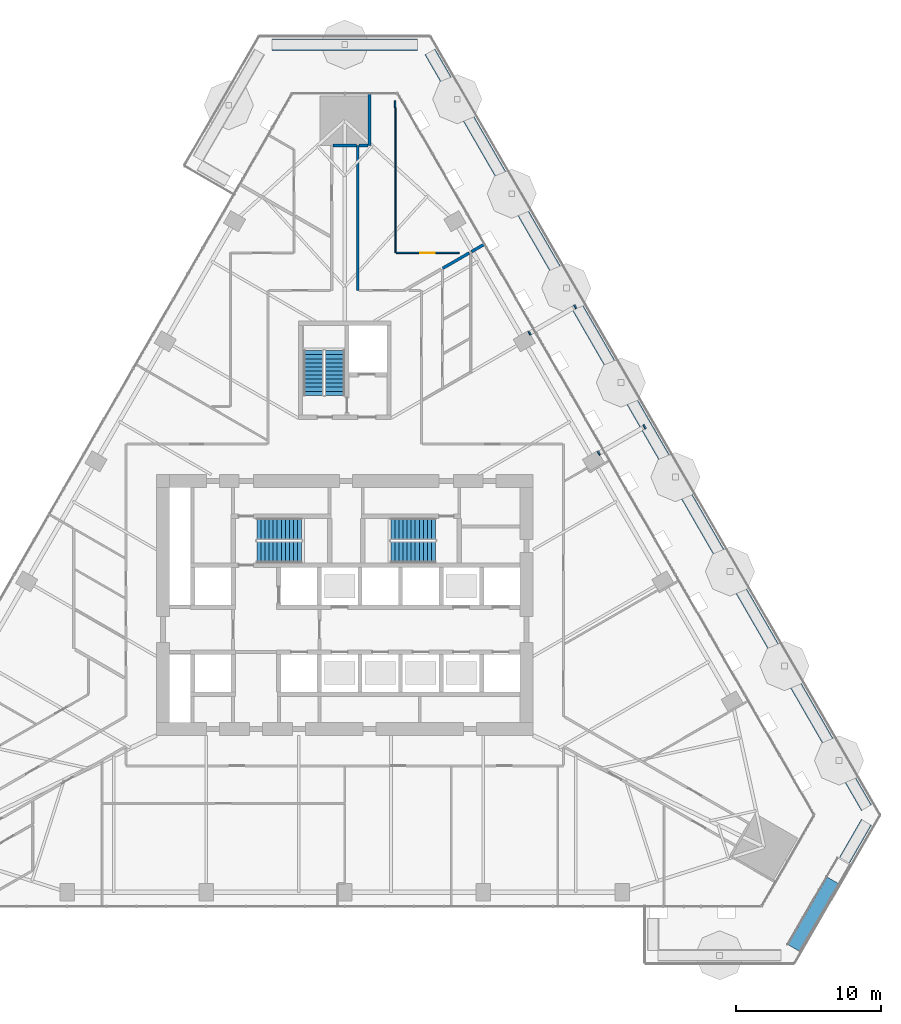
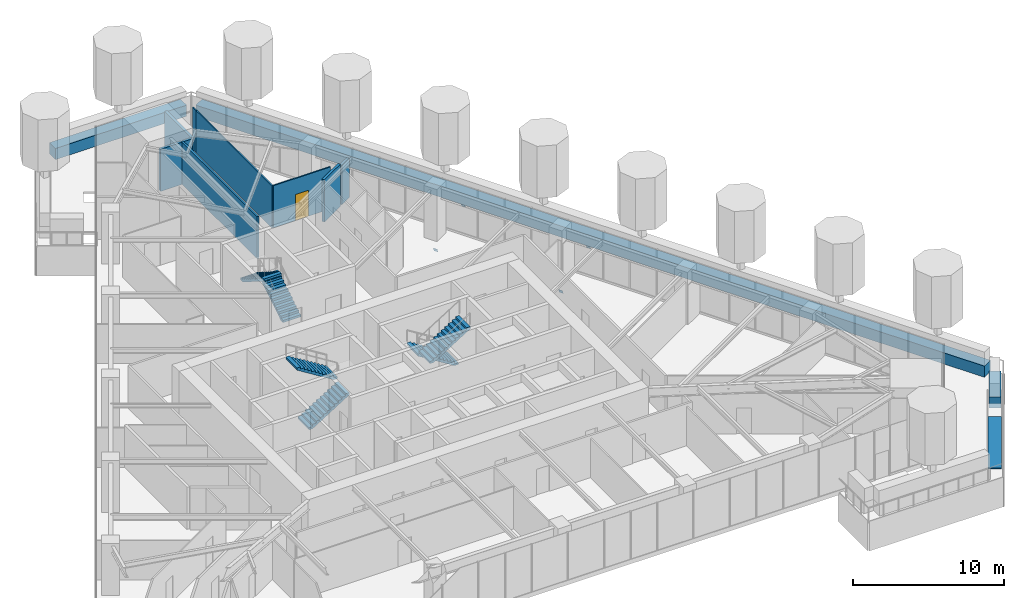
# One storey, part 22 of 26: 12 walls, 6 stair flights, 4 discrete accessories, 1 door, 1 ramp flight, 1 opening, 4 elements without a shape of their own.
"""IFC4 building model written with IfcOpenShell, lengths in metres."""

from ifc_helpers import new_model, si_unit, direction, frame, frame_2d, origin, place, context, subcontext, project, spatial, polyline, rectangle, outline, extrude, material, layer, layer_set, type_object, element, fill, aggregate, save


model = new_model("IFC4")

# Units and contexts
model_context = context("Model", 3, precision=1e-05, world=origin(), true_north=direction((0.0, 1.0)))
body_context = subcontext(model_context, "Body", "Model", "MODEL_VIEW")
ifc_project = project(units=[si_unit("LENGTHUNIT", "METRE"), si_unit("AREAUNIT", "SQUARE_METRE"), si_unit("VOLUMEUNIT", "CUBIC_METRE"), si_unit("PLANEANGLEUNIT", "RADIAN"), si_unit("MASSUNIT", "GRAM", prefix="KILO")], contexts=[model_context])

# Site, building, storey
site_placement = place(None, origin())
site = spatial("IfcSite", under=ifc_project, at=site_placement, CompositionType="ELEMENT")
building_placement = place(site_placement, origin())
building = spatial("IfcBuilding", under=site, at=building_placement, Name="Firuza Gate Tower and Library", CompositionType="ELEMENT")
storey_placement = place(building_placement, frame((0.0, 0.0, 52.60009765625)))
storey = spatial("IfcBuildingStorey", under=building, at=storey_placement, Name="L11", CompositionType="ELEMENT", Elevation=52.60009765625)

# Walls
ifc_material_1 = material(Name="Gypsum board partition")
ifc_layer_1 = layer(ifc_material_1, 0.14990234375)
ifc_layer_set_1 = layer_set([ifc_layer_1], Name="Corridor wall 150 double board on steel studs")
wall_type_1 = type_object("IfcWallType", Name="Corridor wall 150 double board on steel studs", PredefinedType="PARTITIONING", material=ifc_layer_set_1)
wall_1_placement = place(storey_placement, frame((75.89990234375, 96.699951171875, 0.0), z_axis=(0.0, 0.0, 1.0), x_axis=(0.0, 1.0, 0.0)))
element("IfcWall", 1, at=wall_1_placement, inside=storey, type_object=wall_type_1, Name="f:L11:w039", PredefinedType="PARTITIONING", context=body_context, shape_type="SweptSolid", body=[
    extrude(rectangle(XDim=10.020263671875, YDim=0.14990234375, at=frame_2d((5.01025390625, 0.0))), origin(), (0.0, 0.0, 1.0), 3.39990234375),
])
ifc_material_2 = material(Name="Gypsum board partition")
ifc_layer_2 = layer(ifc_material_2, 0.199951171875)
ifc_layer_set_2 = layer_set([ifc_layer_2], Name="Demising wall 200 acoustic double stud")
wall_type_2 = type_object("IfcWallType", Name="Demising wall 200 acoustic double stud", PredefinedType="PARTITIONING", material=ifc_layer_set_2)
wall_2_placement = place(storey_placement, frame((74.175537109375, 106.719970703125, 0.0), z_axis=(0.0, 0.0, 1.0), x_axis=(1.0, 0.0, 0.0)))
element("IfcWall", 2, at=wall_2_placement, inside=storey, type_object=wall_type_2, Name="f:L11:w010", PredefinedType="PARTITIONING", context=body_context, shape_type="SweptSolid", body=[
    extrude(rectangle(XDim=1.6494140625, YDim=0.199951171875, at=frame_2d((0.82470703125, 0.0))), origin(), (0.0, 0.0, 1.0), 3.39697265625),
])
wall_3_placement = place(storey_placement, frame((76.699951171875, 106.720703125, 0.0), z_axis=(0.0, 0.0, 1.0), x_axis=(0.0, 1.0, 0.0)))
element("IfcWall", 3, at=wall_3_placement, inside=storey, type_object=wall_type_2, Name="f:L11:w038", PredefinedType="PARTITIONING", context=body_context, shape_type="SweptSolid", body=[
    extrude(rectangle(XDim=3.5595703125, YDim=0.199951171875, at=frame_2d((1.77978515625, 0.0))), origin(), (0.0, 0.0, 1.0), 3.39990234375),
])
wall_4_placement = place(storey_placement, frame((75.97509765625, 106.719970703125, 0.0), z_axis=(0.0, 0.0, 1.0), x_axis=(1.0, 0.0, 0.0)))
element("IfcWall", 4, at=wall_4_placement, inside=storey, type_object=wall_type_2, Name="f:L11:w071", PredefinedType="PARTITIONING", context=body_context, shape_type="SweptSolid", body=[
    extrude(rectangle(XDim=0.62451171875, YDim=0.199951171875, at=frame_2d((0.312255859375, 0.0))), origin(), (0.0, 0.0, 1.0), 3.39990234375),
])
wall_5_placement = place(storey_placement, frame((83.744873046875, 99.382080078125, 0.0), z_axis=(0.0, 0.0, 1.0), x_axis=(0.866062461731, 0.499935808259, 0.0)))
element("IfcWall", 5, at=wall_5_placement, inside=storey, type_object=wall_type_2, Name="f:L11:w075", PredefinedType="PARTITIONING", context=body_context, shape_type="SweptSolid", body=[
    extrude(rectangle(XDim=1.023681640625, YDim=0.199951171875, at=frame_2d((0.51171875, 0.0))), origin(), (0.0, 0.0, 1.0), 3.164794921875),
])
wall_6_placement = place(storey_placement, frame((81.76025390625, 98.236328125, 0.0), z_axis=(0.0, 0.0, 1.0), x_axis=(0.866037425094, 0.499979177903, 0.0)))
element("IfcWall", 6, at=wall_6_placement, inside=storey, type_object=wall_type_2, Name="f:L11:w080", PredefinedType="PARTITIONING", context=body_context, shape_type="SweptSolid", body=[
    extrude(rectangle(XDim=2.11279296875, YDim=0.199951171875, at=frame_2d((1.056396484375, 0.0))), origin(), (0.0, 0.0, 1.0), 3.39990234375),
])

# Wall, opening, door
ifc_material_3 = material(Name="Gypsum board partition")
ifc_layer_3 = layer(ifc_material_3, 0.10009765625)
ifc_layer_set_3 = layer_set([ifc_layer_3], Name="Partition 100 gypsum board on steel studs")
wall_type_3 = type_object("IfcWallType", Name="Partition 100 gypsum board on steel studs", PredefinedType="PARTITIONING", material=ifc_layer_set_3)
wall_7_placement = place(storey_placement, frame((78.550537109375, 99.300048828125, 0.0), z_axis=(0.0, 0.0, 1.0), x_axis=(1.0, 0.0, 0.0)))
wall_7 = element("IfcWall", 7, at=wall_7_placement, inside=storey, type_object=wall_type_3, Name="f:L11:w009", PredefinedType="PARTITIONING", context=body_context, shape_type="SweptSolid", body=[
    extrude(rectangle(XDim=4.349365234375, YDim=0.10009765625, at=frame_2d((2.1748046875, 0.0))), origin(), (0.0, 0.0, 1.0), 3.39990234375),
])
opening_placement = place(wall_7_placement, frame((1.6748046875, 0.0, 0.0)))
opening = element("IfcOpeningElement", 8, at=opening_placement, cuts=wall_7, Name="Opening L11-10", PredefinedType="OPENING", context=body_context, shape_type="SweptSolid", body=[
    extrude(rectangle(XDim=1.0, YDim=2.10009765625, at=frame_2d((0.5, 1.050048828125))), frame((0.0, 0.06005859375, 0.0), z_axis=(0.0, -1.0, 0.0), x_axis=(1.0, 0.0, 0.0)), (0.0, 0.0, 1.0), 0.1201171875),
])
ifc_material_4 = material(Name="Timber door", Category="wood")
door_type = type_object("IfcDoorType", Name="Door 1000 x 2100 timber leaf", OperationType="NOTDEFINED", PredefinedType="DOOR", material=ifc_material_4)
door_placement = place(opening_placement, origin())
door = element("IfcDoor", 9, at=door_placement, inside=storey, type_object=door_type, Name="f:L11:d010", OperationType="SINGLE_SWING_RIGHT", OverallHeight=2.10009765625, OverallWidth=1.0, PredefinedType="DOOR", context=body_context, shape_type="SweptSolid", body=[
    extrude(rectangle(XDim=1.0, YDim=2.10009765625, at=frame_2d((0.5, 1.050048828125))), frame((0.0, 0.02490234375, 0.0), z_axis=(0.0, -1.0, 0.0), x_axis=(1.0, 0.0, 0.0)), (0.0, 0.0, 1.0), 0.050048828125),
])
fill(opening, door)

# Walls
wall_8_placement = place(storey_placement, frame((78.5, 99.300537109375, 0.0), z_axis=(0.0, 0.0, 1.0), x_axis=(0.0, 1.0, 0.0)))
element("IfcWall", 10, at=wall_8_placement, inside=storey, type_object=wall_type_3, Name="f:L11:w036", PredefinedType="PARTITIONING", context=body_context, shape_type="SweptSolid", body=[
    extrude(rectangle(XDim=10.019775390625, YDim=0.10009765625, at=frame_2d((5.009765625, 0.0))), origin(), (0.0, 0.0, 1.0), 3.39990234375),
])
wall_9_placement = place(storey_placement, frame((78.48095703125, 109.32080078125, 0.0), z_axis=(0.0, 0.0, 1.0), x_axis=(0.0, 1.0, 0.0)))
element("IfcWall", 11, at=wall_9_placement, inside=storey, type_object=wall_type_3, Name="f:L11:w037", PredefinedType="PARTITIONING", context=body_context, shape_type="SweptSolid", body=[
    extrude(rectangle(XDim=0.47265625, YDim=0.10009765625, at=frame_2d((0.236328125, 0.0))), origin(), (0.0, 0.0, 1.0), 3.39990234375),
])
ifc_material_5 = material(Name="Concrete C40/50", Category="concrete")
ifc_layer_4 = layer(ifc_material_5, 0.800048828125)
ifc_layer_set_4 = layer_set([ifc_layer_4], Name="Planter wall 800")
wall_type_4 = type_object("IfcWallType", Name="Planter wall 800", PredefinedType="SOLIDWALL", material=ifc_layer_set_4)
wall_10_placement = place(storey_placement, frame((109.48486328125, 57.388671875, 0.0), z_axis=(0.0, 0.0, 1.0), x_axis=(0.499948805358, 0.866054959007, 0.0)))
element("IfcWall", 12, at=wall_10_placement, inside=storey, type_object=wall_type_4, Name="PLANTER L11 3", PredefinedType="SOLIDWALL", context=body_context, shape_type="SweptSolid", body=[
    extrude(rectangle(XDim=3.018798828125, YDim=0.800048828125, at=frame_2d((1.50927734375, 0.0))), origin(), (0.0, 0.0, 1.0), 0.89990234375),
])
wall_11_placement = place(storey_placement, frame((110.994140625, 61.011962890625, 0.0), z_axis=(0.0, 0.0, 1.0), x_axis=(-0.500000853759, 0.866024910866, 0.0)))
element("IfcWall", 13, at=wall_11_placement, inside=storey, type_object=wall_type_4, Name="PLANTER L11 4", PredefinedType="SOLIDWALL", context=body_context, shape_type="SweptSolid", body=[
    extrude(rectangle(XDim=60.22216796875, YDim=0.800048828125, at=frame_2d((30.111083984375, 0.0))), origin(), (0.0, 0.0, 1.0), 0.89990234375),
])
wall_12_placement = place(storey_placement, frame((80.009521484375, 113.67041015625, 0.0), z_axis=(0.0, 0.0, 1.0), x_axis=(-1.0, 0.0, 0.0)))
element("IfcWall", 14, at=wall_12_placement, inside=storey, type_object=wall_type_4, Name="PLANTER L11 5", PredefinedType="SOLIDWALL", context=body_context, shape_type="SweptSolid", body=[
    extrude(rectangle(XDim=10.01904296875, YDim=0.800048828125, at=frame_2d((5.009521484375, 0.0))), origin(), (0.0, 0.0, 1.0), 0.89990234375),
])

# Stair, stair flights
ifc_material_6 = material(Name="Concrete C35/45", Category="concrete")
stair_type_1 = type_object("IfcStairType", Name="Exit stair ST14", PredefinedType="HALF_TURN_STAIR", material=ifc_material_6)
placement = place(storey_placement, origin())
stair_1 = element("IfcStair", 15, at=placement, inside=storey, type_object=stair_type_1, Name="L11 Stair ST3", PredefinedType="HALF_TURN_STAIR")
ifc_material_7 = material(Name="Concrete C35/45", Category="concrete")
stair_flight_type_1 = type_object("IfcStairFlightType", Name="Stair flight 12 risers 175 width 1370", PredefinedType="STRAIGHT", material=ifc_material_7)
stair_flight_1_placement = place(storey_placement, frame((74.31494140625, 89.469970703125, 0.0), z_axis=(0.0, 0.0, 1.0), x_axis=(0.0, 1.0, 0.0)))
stair_flight_1 = element("IfcStairFlight", 16, at=stair_flight_1_placement, type_object=stair_flight_type_1, Name="ST3 flight 1", NumberOfRisers=12, NumberOfTreads=11, PredefinedType="STRAIGHT", RiserHeight=0.175, TreadLength=0.28, context=body_context, shape_type="SweptSolid", body=[
    extrude(outline(polyline([(0.0, 0.0), (0.0, 0.175048828125), (0.280029296875, 0.175048828125), (0.280029296875, 0.35009765625), (0.56005859375, 0.35009765625), (0.56005859375, 0.52490234375), (0.840087890625, 0.52490234375), (0.840087890625, 0.699951171875), (1.1201171875, 0.699951171875), (1.1201171875, 0.875), (1.39990234375, 0.875), (1.39990234375, 1.050048828125), (1.679931640625, 1.050048828125), (1.679931640625, 1.22509765625), (1.9599609375, 1.22509765625), (1.9599609375, 1.39990234375), (2.239990234375, 1.39990234375), (2.239990234375, 1.574951171875), (2.52001953125, 1.574951171875), (2.52001953125, 1.75), (2.800048828125, 1.75), (2.800048828125, 1.925048828125), (3.080078125, 1.925048828125), (3.080078125, 2.10009765625), (3.080078125, 1.748291015625), (0.28271484375, 0.0), (0.0, 0.0)])), frame((0.0, 0.68505859375, 0.0), z_axis=(0.0, -1.0, 0.0), x_axis=(1.0, 0.0, 0.0)), (0.0, 0.0, 1.0), 1.3701171875),
])
stair_flight_2_placement = place(storey_placement, frame((72.844970703125, 92.550048828125, 2.099853515625), z_axis=(0.0, 0.0, 1.0), x_axis=(0.0, -1.0, 0.0)))
stair_flight_2 = element("IfcStairFlight", 17, at=stair_flight_2_placement, type_object=stair_flight_type_1, Name="ST3 flight 2", NumberOfRisers=12, NumberOfTreads=11, PredefinedType="STRAIGHT", RiserHeight=0.175, TreadLength=0.28, context=body_context, shape_type="SweptSolid", body=[
    extrude(outline(polyline([(0.0, 0.0), (0.0, 0.175048828125), (0.280029296875, 0.175048828125), (0.280029296875, 0.35009765625), (0.56005859375, 0.35009765625), (0.56005859375, 0.52490234375), (0.840087890625, 0.52490234375), (0.840087890625, 0.699951171875), (1.1201171875, 0.699951171875), (1.1201171875, 0.875), (1.39990234375, 0.875), (1.39990234375, 1.050048828125), (1.679931640625, 1.050048828125), (1.679931640625, 1.22509765625), (1.9599609375, 1.22509765625), (1.9599609375, 1.39990234375), (2.239990234375, 1.39990234375), (2.239990234375, 1.574951171875), (2.52001953125, 1.574951171875), (2.52001953125, 1.75), (2.800048828125, 1.75), (2.800048828125, 1.925048828125), (3.080078125, 1.925048828125), (3.080078125, 2.10009765625), (3.080078125, 1.748291015625), (0.28271484375, 0.0), (0.0, 0.0)])), frame((0.0, 0.68505859375, 0.0), z_axis=(0.0, -1.0, 0.0), x_axis=(1.0, 0.0, 0.0)), (0.0, 0.0, 1.0), 1.3701171875),
])
aggregate(stair_1, [stair_flight_1, stair_flight_2])

ifc_material_8 = material(Name="Concrete C35/45", Category="concrete")
stair_type_2 = type_object("IfcStairType", Name="Exit stair ST5", PredefinedType="HALF_TURN_STAIR", material=ifc_material_8)
stair_2 = element("IfcStair", 18, at=placement, inside=storey, type_object=stair_type_2, Name="L11 Stair ST1", PredefinedType="HALF_TURN_STAIR")
ifc_material_9 = material(Name="Concrete C35/45", Category="concrete")
stair_flight_type_2 = type_object("IfcStairFlightType", Name="Stair flight 12 risers 175 width 1490", PredefinedType="STRAIGHT", material=ifc_material_9)
stair_flight_3_placement = place(storey_placement, frame((68.93994140625, 78.64501953125, 0.0), z_axis=(0.0, 0.0, 1.0), x_axis=(1.0, 0.0, 0.0)))
stair_flight_3 = element("IfcStairFlight", 19, at=stair_flight_3_placement, type_object=stair_flight_type_2, Name="ST1 flight 1", NumberOfRisers=12, NumberOfTreads=11, PredefinedType="STRAIGHT", RiserHeight=0.175, TreadLength=0.28, context=body_context, shape_type="SweptSolid", body=[
    extrude(outline(polyline([(0.0, 0.0), (0.0, 0.175048828125), (0.280029296875, 0.175048828125), (0.280029296875, 0.35009765625), (0.56005859375, 0.35009765625), (0.56005859375, 0.52490234375), (0.840087890625, 0.52490234375), (0.840087890625, 0.699951171875), (1.1201171875, 0.699951171875), (1.1201171875, 0.875), (1.39990234375, 0.875), (1.39990234375, 1.050048828125), (1.679931640625, 1.050048828125), (1.679931640625, 1.22509765625), (1.9599609375, 1.22509765625), (1.9599609375, 1.39990234375), (2.239990234375, 1.39990234375), (2.239990234375, 1.574951171875), (2.52001953125, 1.574951171875), (2.52001953125, 1.75), (2.800048828125, 1.75), (2.800048828125, 1.925048828125), (3.080078125, 1.925048828125), (3.080078125, 2.10009765625), (3.080078125, 1.748291015625), (0.28271484375, 0.0), (0.0, 0.0)])), frame((0.0, 0.7451171875, 0.0), z_axis=(0.0, -1.0, 0.0), x_axis=(1.0, 0.0, 0.0)), (0.0, 0.0, 1.0), 1.489990234375),
])
stair_flight_4_placement = place(storey_placement, frame((72.02001953125, 80.235107421875, 2.099853515625), z_axis=(0.0, 0.0, 1.0), x_axis=(-1.0, 0.0, 0.0)))
stair_flight_4 = element("IfcStairFlight", 20, at=stair_flight_4_placement, type_object=stair_flight_type_2, Name="ST1 flight 2", NumberOfRisers=12, NumberOfTreads=11, PredefinedType="STRAIGHT", RiserHeight=0.175, TreadLength=0.28, context=body_context, shape_type="SweptSolid", body=[
    extrude(outline(polyline([(0.0, 0.0), (0.0, 0.175048828125), (0.280029296875, 0.175048828125), (0.280029296875, 0.35009765625), (0.56005859375, 0.35009765625), (0.56005859375, 0.52490234375), (0.840087890625, 0.52490234375), (0.840087890625, 0.699951171875), (1.1201171875, 0.699951171875), (1.1201171875, 0.875), (1.39990234375, 0.875), (1.39990234375, 1.050048828125), (1.679931640625, 1.050048828125), (1.679931640625, 1.22509765625), (1.9599609375, 1.22509765625), (1.9599609375, 1.39990234375), (2.239990234375, 1.39990234375), (2.239990234375, 1.574951171875), (2.52001953125, 1.574951171875), (2.52001953125, 1.75), (2.800048828125, 1.75), (2.800048828125, 1.925048828125), (3.080078125, 1.925048828125), (3.080078125, 2.10009765625), (3.080078125, 1.748291015625), (0.28271484375, 0.0), (0.0, 0.0)])), frame((0.0, 0.7451171875, 0.0), z_axis=(0.0, -1.0, 0.0), x_axis=(1.0, 0.0, 0.0)), (0.0, 0.0, 1.0), 1.489990234375),
])
aggregate(stair_2, [stair_flight_3, stair_flight_4])

stair_3 = element("IfcStair", 21, at=placement, inside=storey, type_object=stair_type_2, Name="L11 Stair ST2", PredefinedType="HALF_TURN_STAIR")
stair_flight_5_placement = place(storey_placement, frame((81.260009765625, 80.235107421875, 0.0), z_axis=(0.0, 0.0, 1.0), x_axis=(-1.0, 0.0, 0.0)))
stair_flight_5 = element("IfcStairFlight", 22, at=stair_flight_5_placement, type_object=stair_flight_type_2, Name="ST2 flight 1", NumberOfRisers=12, NumberOfTreads=11, PredefinedType="STRAIGHT", RiserHeight=0.175, TreadLength=0.28, context=body_context, shape_type="SweptSolid", body=[
    extrude(outline(polyline([(0.0, 0.0), (0.0, 0.175048828125), (0.280029296875, 0.175048828125), (0.280029296875, 0.35009765625), (0.56005859375, 0.35009765625), (0.56005859375, 0.52490234375), (0.840087890625, 0.52490234375), (0.840087890625, 0.699951171875), (1.1201171875, 0.699951171875), (1.1201171875, 0.875), (1.39990234375, 0.875), (1.39990234375, 1.050048828125), (1.679931640625, 1.050048828125), (1.679931640625, 1.22509765625), (1.9599609375, 1.22509765625), (1.9599609375, 1.39990234375), (2.239990234375, 1.39990234375), (2.239990234375, 1.574951171875), (2.52001953125, 1.574951171875), (2.52001953125, 1.75), (2.800048828125, 1.75), (2.800048828125, 1.925048828125), (3.080078125, 1.925048828125), (3.080078125, 2.10009765625), (3.080078125, 1.748291015625), (0.28271484375, 0.0), (0.0, 0.0)])), frame((0.0, 0.7451171875, 0.0), z_axis=(0.0, -1.0, 0.0), x_axis=(1.0, 0.0, 0.0)), (0.0, 0.0, 1.0), 1.489990234375),
])
stair_flight_6_placement = place(storey_placement, frame((78.179931640625, 78.64501953125, 2.099853515625), z_axis=(0.0, 0.0, 1.0), x_axis=(1.0, 0.0, 0.0)))
stair_flight_6 = element("IfcStairFlight", 23, at=stair_flight_6_placement, type_object=stair_flight_type_2, Name="ST2 flight 2", NumberOfRisers=12, NumberOfTreads=11, PredefinedType="STRAIGHT", RiserHeight=0.175, TreadLength=0.28, context=body_context, shape_type="SweptSolid", body=[
    extrude(outline(polyline([(0.0, 0.0), (0.0, 0.175048828125), (0.280029296875, 0.175048828125), (0.280029296875, 0.35009765625), (0.56005859375, 0.35009765625), (0.56005859375, 0.52490234375), (0.840087890625, 0.52490234375), (0.840087890625, 0.699951171875), (1.1201171875, 0.699951171875), (1.1201171875, 0.875), (1.39990234375, 0.875), (1.39990234375, 1.050048828125), (1.679931640625, 1.050048828125), (1.679931640625, 1.22509765625), (1.9599609375, 1.22509765625), (1.9599609375, 1.39990234375), (2.239990234375, 1.39990234375), (2.239990234375, 1.574951171875), (2.52001953125, 1.574951171875), (2.52001953125, 1.75), (2.800048828125, 1.75), (2.800048828125, 1.925048828125), (3.080078125, 1.925048828125), (3.080078125, 2.10009765625), (3.080078125, 1.748291015625), (0.28271484375, 0.0), (0.0, 0.0)])), frame((0.0, 0.7451171875, 0.0), z_axis=(0.0, -1.0, 0.0), x_axis=(1.0, 0.0, 0.0)), (0.0, 0.0, 1.0), 1.489990234375),
])
aggregate(stair_3, [stair_flight_5, stair_flight_6])

# Ramp, ramp flight
ifc_material_10 = material(Name="Concrete C40/50", Category="concrete")
ifc_layer_5 = layer(ifc_material_10, 0.050048828125)
ifc_layer_set_5 = layer_set([ifc_layer_5], Name="Garden ramp")
ramp_type = type_object("IfcRampType", Name="Garden ramp", PredefinedType="STRAIGHT_RUN_RAMP", material=ifc_layer_set_5)
ramp = element("IfcRamp", 24, at=placement, inside=storey, type_object=ramp_type, Name="Garden ramp 1", PredefinedType="STRAIGHT_RUN_RAMP")
ifc_material_11 = material(Name="Concrete C40/50", Category="concrete")
ifc_layer_6 = layer(ifc_material_11, 0.050048828125)
ifc_layer_set_6 = layer_set([ifc_layer_6], Name="Garden ramp flight")
ramp_flight_type = type_object("IfcRampFlightType", Name="Garden ramp flight", PredefinedType="STRAIGHT", material=ifc_layer_set_6)
ramp_flight_placement = place(storey_placement, frame((105.98486328125, 51.32666015625, -0.000244140625), z_axis=(0.0, 0.0, 1.0), x_axis=(0.499995103361, 0.866028230842, 0.0)))
ramp_flight = element("IfcRampFlight", 25, at=ramp_flight_placement, type_object=ramp_flight_type, Name="Garden ramp 1 flight", PredefinedType="STRAIGHT", context=body_context, shape_type="SweptSolid", body=[
    extrude(outline(polyline([(0.0, 0.050048828125), (5.39990234375, 0.4501953125), (5.39990234375, 0.400146484375), (0.0, 0.0), (0.0, 0.050048828125)])), frame((0.0, 0.449951171875, 0.0), z_axis=(0.0, -1.0, 0.0), x_axis=(1.0, 0.0, 0.0)), (0.0, 0.0, 1.0), 0.900146484375),
])
aggregate(ramp, [ramp_flight])

# Discrete accessories
ifc_material_12 = material(Name="Steel S355", Category="steel")
ifc_layer_7 = layer(ifc_material_12, 0.02001953125)
ifc_layer_set_7 = layer_set([ifc_layer_7], Name="Strut seat plate 304x304x20 Steel S355")
discrete_accessory_type = type_object("IfcDiscreteAccessoryType", Name="Strut seat plate 304x304x20 Steel S355", PredefinedType="BRACKET", material=ifc_layer_set_7)
discrete_accessory_1_placement = place(storey_placement, frame((92.431396484375, 85.5859375, -1.53564453125), z_axis=(0.806912615133, 0.466332615239, 0.36252713485), x_axis=(0.500371262739, -0.865810949009, 0.0)))
element("IfcDiscreteAccessory", 26, at=discrete_accessory_1_placement, inside=storey, type_object=discrete_accessory_type, Name="Strut seat plate L11 col:L10:E3", PredefinedType="BRACKET", context=body_context, shape_type="SweptSolid", body=[
    extrude(outline(polyline([(0.0, 0.0), (0.3039735106735333, 0.0), (0.3039666476986559, 0.3041367075471871), (-6.862974877369643e-06, 0.30413670754718714), (0.0, 0.0)])), origin(), (0.0, 0.0, -1.0), 0.02001953125),
])
discrete_accessory_2_placement = place(storey_placement, frame((95.7333984375, 87.141357421875, -0.12109375), z_axis=(0.807236862691, 0.465771176803, 0.362527045021), x_axis=(-0.499768824934, 0.866158831638, 0.0)))
element("IfcDiscreteAccessory", 27, at=discrete_accessory_2_placement, inside=storey, type_object=discrete_accessory_type, Name="Strut seat plate L11 col:L10:E3", PredefinedType="BRACKET", context=body_context, shape_type="SweptSolid", body=[
    extrude(outline(polyline([(0.0, 0.0), (0.30385142324571607, -6.938893903907228e-18), (0.3039349890174445, -0.3041366961441935), (8.356577172844576e-05, -0.3041366961441935), (0.0, 0.0)])), origin(), (0.0, 0.0, -1.0), 0.02001953125),
])
discrete_accessory_3_placement = place(storey_placement, frame((87.64794921875, 93.87158203125, -1.53564453125), z_axis=(0.807389027558, 0.465642999667, 0.362352804651), x_axis=(0.499572155029, -0.866272276673, 6.7737836e-05)))
element("IfcDiscreteAccessory", 28, at=discrete_accessory_3_placement, inside=storey, type_object=discrete_accessory_type, Name="Strut seat plate L11 col:L10:E4", PredefinedType="BRACKET", context=body_context, shape_type="SweptSolid", body=[
    extrude(outline(polyline([(0.0, 0.0), (0.3040629069720726, 0.0), (0.30393510776808547, 0.3041366754621787), (8.369305105982846e-05, 0.30409249414364486), (0.0, 0.0)])), origin(), (0.0, 0.0, -1.0), 0.02001953125),
])
discrete_accessory_4_placement = place(storey_placement, frame((90.949951171875, 95.4267578125, -0.12109375), z_axis=(0.807328680114, 0.465982478786, 0.362050730879), x_axis=(-0.499912926069, 0.866075668686, 4.9594885e-05)))
element("IfcDiscreteAccessory", 29, at=discrete_accessory_4_placement, inside=storey, type_object=discrete_accessory_type, Name="Strut seat plate L11 col:L10:E4", PredefinedType="BRACKET", context=body_context, shape_type="SweptSolid", body=[
    extrude(outline(polyline([(0.0, 0.0), (0.3041849119758097, -6.938893903907228e-18), (0.304024631629005, -0.3040924658782561), (0.00017321296246153618, -0.30406011569786934), (0.0, 0.0)])), origin(), (0.0, 0.0, -1.0), 0.02001953125),
])

save(model, "model.ifc")
